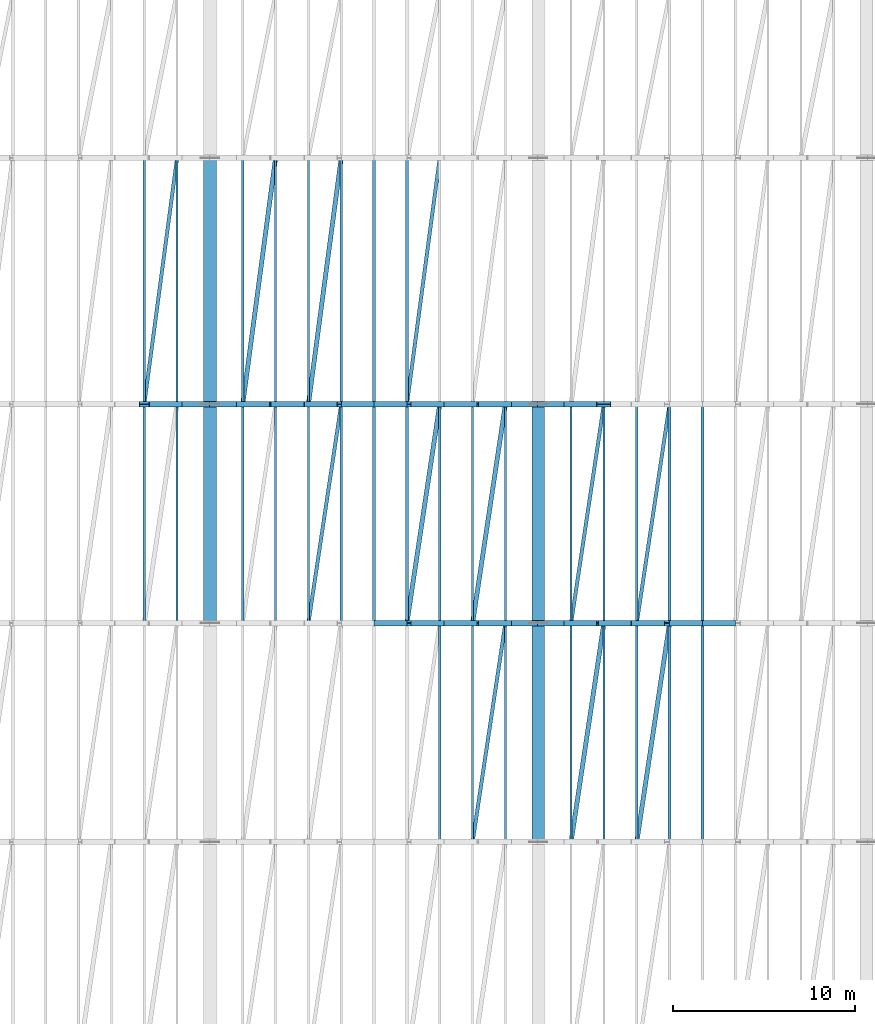
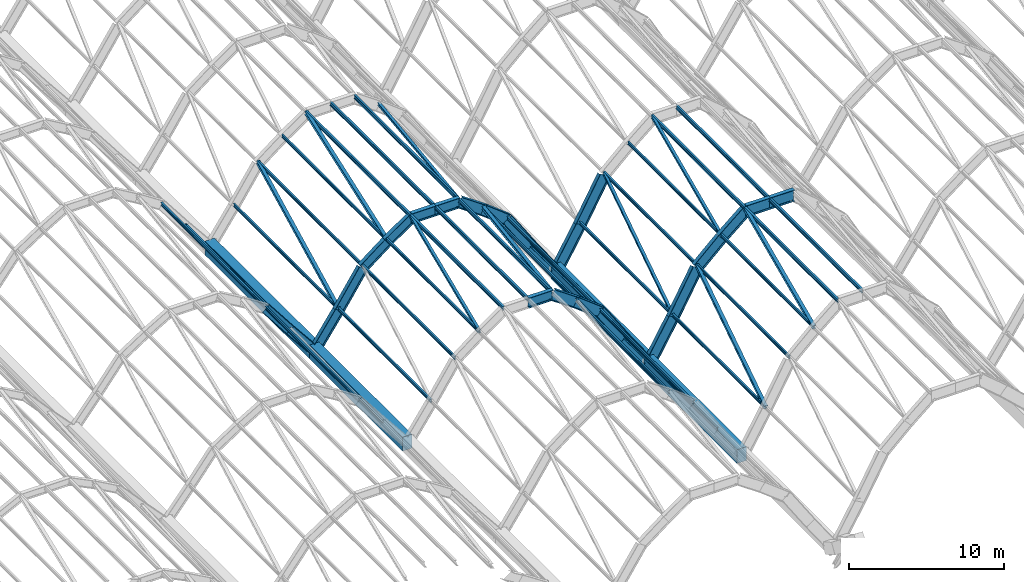
# One storey, part 11 of 86: 44 members, 29 beams.
"""IFC4 building model written with IfcOpenShell, lengths in metres."""

from ifc_helpers import new_model, si_unit, direction, frame, origin, origin_2d, place, context, subcontext, project, spatial, rectangle, i_section, extrude, material, material_profile, profile_set, type_object, element, save


model = new_model("IFC4")

# Units and contexts
model_context = context("Model", 3, precision=1e-05, world=origin(), true_north=direction((0.0, 1.0)))
body_context = subcontext(model_context, "Body", "Model", "MODEL_VIEW")
ifc_project = project(units=[si_unit("LENGTHUNIT", "METRE"), si_unit("AREAUNIT", "SQUARE_METRE"), si_unit("VOLUMEUNIT", "CUBIC_METRE"), si_unit("PLANEANGLEUNIT", "RADIAN"), si_unit("MASSUNIT", "GRAM", prefix="KILO")], contexts=[model_context])

# Site, building, storey
site_placement = place(None, origin())
site = spatial("IfcSite", under=ifc_project, at=site_placement, CompositionType="ELEMENT")
building_placement = place(site_placement, origin())
building = spatial("IfcBuilding", under=site, at=building_placement, Name="Chuanluo Vaults Station", CompositionType="ELEMENT")
storey_placement = place(building_placement, frame((0.0, 0.0, 14.39990234375)))
storey = spatial("IfcBuildingStorey", under=building, at=storey_placement, Name="L03", CompositionType="ELEMENT", Elevation=14.39990234375)

# Beams
ifc_material_1 = material(Name="Concrete C50", Category="concrete")
ifc_material_profile_1 = material_profile(ifc_material_1, rectangle(XDim=0.699951171875, YDim=1.10009765625, at=origin_2d()))
ifc_profile_set_1 = profile_set([ifc_material_profile_1], Name="Concrete C50")
beam_type_1 = type_object("IfcBeamType", Name="BM-VAL-RC", PredefinedType="USERDEFINED", material=ifc_profile_set_1)
beam_1_placement = place(storey_placement, frame((36.0, 42.0, -0.7998046875), z_axis=(0.0, 1.0, 0.0), x_axis=(-1.0, 0.0, 0.0)))
element("IfcBeam", 1, at=beam_1_placement, inside=storey, type_object=beam_type_1, Name="Vault springing valley beam X36-3", ObjectType="GIRDER", PredefinedType="USERDEFINED", context=body_context, shape_type="SweptSolid", body=[
    extrude(rectangle(XDim=0.699951171875, YDim=1.10009765625, at=origin_2d()), origin(), (0.0, 0.0, 1.0), 12.0),
])
beam_2_placement = place(storey_placement, frame((36.0, 54.0, -0.7998046875), z_axis=(0.0, 1.0, 0.0), x_axis=(-1.0, 0.0, 0.0)))
element("IfcBeam", 2, at=beam_2_placement, inside=storey, type_object=beam_type_1, Name="Vault springing valley beam X36-4", ObjectType="GIRDER", PredefinedType="USERDEFINED", context=body_context, shape_type="SweptSolid", body=[
    extrude(rectangle(XDim=0.699951171875, YDim=1.10009765625, at=origin_2d()), origin(), (0.0, 0.0, 1.0), 13.5),
])
for number, where, z_axis, x_axis, name in (
    (3, (54.0, 30.0, -0.7998046875), (0.0, 1.0, 0.0), (-1.0, 0.0, 0.0), "Vault springing valley beam X54-2"),
    (4, (54.0, 42.0, -0.7998046875), (0.0, 1.0, 0.0), (-1.0, 0.0, 0.0), "Vault springing valley beam X54-3"),
):
    element("IfcBeam", number, at=place(storey_placement, frame(where, z_axis=z_axis, x_axis=x_axis)), inside=storey, type_object=beam_type_1, Name=name, ObjectType="GIRDER", PredefinedType="USERDEFINED", context=body_context, shape_type="SweptSolid", body=[
        extrude(rectangle(XDim=0.699951171875, YDim=1.10009765625, at=origin_2d()), origin(), (0.0, 0.0, 1.0), 12.0),
    ])
ifc_material_2 = material(Name="Steel Q355C", Category="steel")
ifc_material_profile_2 = material_profile(ifc_material_2, i_section(OverallWidth=0.300048828125, OverallDepth=0.699951171875, WebThickness=0.012939453125, FlangeThickness=0.02392578125, FilletRadius=0.02392578125, at=origin_2d()))
ifc_profile_set_2 = profile_set([ifc_material_profile_2], Name="Steel Q355C")
beam_type_2 = type_object("IfcBeamType", Name="BM-VLT-700", PredefinedType="USERDEFINED", material=ifc_profile_set_2)
beam_3_placement = place(storey_placement, frame((32.39990234375, 54.0, 3.74560546875), z_axis=(0.613681275736, 0.0, -0.789553856182), x_axis=(0.0, 1.0, 0.0)))
element("IfcBeam", 5, at=beam_3_placement, inside=storey, type_object=beam_type_2, Name="Vault V2 arch rib 4 chord 9", ObjectType="GIRDER", PredefinedType="USERDEFINED", context=body_context, shape_type="SweptSolid", body=[
    extrude(i_section(OverallWidth=0.300048828125, OverallDepth=0.699951171875, WebThickness=0.012939453125, FlangeThickness=0.02392578125, FilletRadius=0.02392578125, at=origin_2d()), origin(), (0.0, 0.0, 1.0), 2.93310546875),
])
beam_4_placement = place(storey_placement, frame((34.199951171875, 54.0, 1.4296875), z_axis=(0.628190338877, 0.0, -0.778059700885), x_axis=(0.0, 1.0, 0.0)))
element("IfcBeam", 6, at=beam_4_placement, inside=storey, type_object=beam_type_2, Name="Vault V2 arch rib 4 chord 10", ObjectType="GIRDER", PredefinedType="USERDEFINED", context=body_context, shape_type="SweptSolid", body=[
    extrude(i_section(OverallWidth=0.300048828125, OverallDepth=0.699951171875, WebThickness=0.012939453125, FlangeThickness=0.02392578125, FilletRadius=0.02392578125, at=origin_2d()), origin(), (0.0, 0.0, 1.0), 2.865478515625),
])
ifc_material_3 = material(Name="Steel Q355C", Category="steel")
ifc_material_profile_3 = material_profile(ifc_material_3, i_section(OverallWidth=0.300048828125, OverallDepth=0.800048828125, WebThickness=0.013916015625, FlangeThickness=0.02587890625, FilletRadius=0.02392578125, at=origin_2d()))
ifc_profile_set_3 = profile_set([ifc_material_profile_3], Name="Steel Q355C")
beam_type_3 = type_object("IfcBeamType", Name="BM-VLT-800", PredefinedType="USERDEFINED", material=ifc_profile_set_3)
beam_5_placement = place(storey_placement, frame((45.0, 42.0, 7.130126953125), z_axis=(1.0, 0.0, 0.0), x_axis=(0.0, 1.0, 0.0)))
element("IfcBeam", 7, at=beam_5_placement, inside=storey, type_object=beam_type_3, Name="Vault V3 arch rib 3 chord 6", ObjectType="GIRDER", PredefinedType="USERDEFINED", context=body_context, shape_type="SweptSolid", body=[
    extrude(i_section(OverallWidth=0.300048828125, OverallDepth=0.800048828125, WebThickness=0.013916015625, FlangeThickness=0.02587890625, FilletRadius=0.02392578125, at=origin_2d()), origin(), (0.0, 0.0, 1.0), 1.800048828125),
])
beam_6_placement = place(storey_placement, frame((46.800048828125, 42.0, 7.130126953125), z_axis=(0.820907471123, 0.0, -0.571061226012), x_axis=(0.0, 1.0, 0.0)))
element("IfcBeam", 8, at=beam_6_placement, inside=storey, type_object=beam_type_3, Name="Vault V3 arch rib 3 chord 7", ObjectType="GIRDER", PredefinedType="USERDEFINED", context=body_context, shape_type="SweptSolid", body=[
    extrude(i_section(OverallWidth=0.300048828125, OverallDepth=0.800048828125, WebThickness=0.013916015625, FlangeThickness=0.02587890625, FilletRadius=0.02392578125, at=origin_2d()), origin(), (0.0, 0.0, 1.0), 2.19287109375),
])
beam_7_placement = place(storey_placement, frame((48.60009765625, 42.0, 5.8779296875), z_axis=(0.790274889356, 0.0, -0.612752477965), x_axis=(0.0, 1.0, 0.0)))
element("IfcBeam", 9, at=beam_7_placement, inside=storey, type_object=beam_type_3, Name="Vault V3 arch rib 3 chord 8", ObjectType="GIRDER", PredefinedType="USERDEFINED", context=body_context, shape_type="SweptSolid", body=[
    extrude(i_section(OverallWidth=0.300048828125, OverallDepth=0.800048828125, WebThickness=0.013916015625, FlangeThickness=0.02587890625, FilletRadius=0.02392578125, at=origin_2d()), origin(), (0.0, 0.0, 1.0), 2.27734375),
])
beam_8_placement = place(storey_placement, frame((50.39990234375, 42.0, 4.482421875), z_axis=(0.550471867992, 0.0, -0.834853713263), x_axis=(0.0, 1.0, 0.0)))
element("IfcBeam", 10, at=beam_8_placement, inside=storey, type_object=beam_type_3, Name="Vault V3 arch rib 3 chord 9", ObjectType="GIRDER", PredefinedType="USERDEFINED", context=body_context, shape_type="SweptSolid", body=[
    extrude(i_section(OverallWidth=0.300048828125, OverallDepth=0.800048828125, WebThickness=0.013916015625, FlangeThickness=0.02587890625, FilletRadius=0.02392578125, at=origin_2d()), origin(), (0.0, 0.0, 1.0), 3.27001953125),
])
for number, where, z_axis, x_axis, name in (
    (11, (52.199951171875, 42.0, 1.75244140625), (0.568880934439, 0.0, -0.822419894234), (0.0, 1.0, 0.0), "Vault V3 arch rib 3 chord 10"),
    (12, (36.0, 54.0, -0.849853515625), (0.568880934439, 0.0, 0.822419894234), (0.0, 1.0, 0.0), "Vault V3 arch rib 4 chord 1"),
):
    element("IfcBeam", number, at=place(storey_placement, frame(where, z_axis=z_axis, x_axis=x_axis)), inside=storey, type_object=beam_type_3, Name=name, ObjectType="GIRDER", PredefinedType="USERDEFINED", context=body_context, shape_type="SweptSolid", body=[
        extrude(i_section(OverallWidth=0.300048828125, OverallDepth=0.800048828125, WebThickness=0.013916015625, FlangeThickness=0.02587890625, FilletRadius=0.02392578125, at=origin_2d()), origin(), (0.0, 0.0, 1.0), 3.164306640625),
    ])
beam_9_placement = place(storey_placement, frame((37.800048828125, 54.0, 1.75244140625), z_axis=(0.550471867992, 0.0, 0.834853713263), x_axis=(0.0, 1.0, 0.0)))
element("IfcBeam", 13, at=beam_9_placement, inside=storey, type_object=beam_type_3, Name="Vault V3 arch rib 4 chord 2", ObjectType="GIRDER", PredefinedType="USERDEFINED", context=body_context, shape_type="SweptSolid", body=[
    extrude(i_section(OverallWidth=0.300048828125, OverallDepth=0.800048828125, WebThickness=0.013916015625, FlangeThickness=0.02587890625, FilletRadius=0.02392578125, at=origin_2d()), origin(), (0.0, 0.0, 1.0), 3.27001953125),
])
beam_10_placement = place(storey_placement, frame((39.60009765625, 54.0, 4.482421875), z_axis=(0.790274889356, 0.0, 0.612752477965), x_axis=(0.0, 1.0, 0.0)))
element("IfcBeam", 14, at=beam_10_placement, inside=storey, type_object=beam_type_3, Name="Vault V3 arch rib 4 chord 3", ObjectType="GIRDER", PredefinedType="USERDEFINED", context=body_context, shape_type="SweptSolid", body=[
    extrude(i_section(OverallWidth=0.300048828125, OverallDepth=0.800048828125, WebThickness=0.013916015625, FlangeThickness=0.02587890625, FilletRadius=0.02392578125, at=origin_2d()), origin(), (0.0, 0.0, 1.0), 2.27734375),
])
beam_11_placement = place(storey_placement, frame((41.39990234375, 54.0, 5.8779296875), z_axis=(0.820907471123, 0.0, 0.571061226012), x_axis=(0.0, 1.0, 0.0)))
element("IfcBeam", 15, at=beam_11_placement, inside=storey, type_object=beam_type_3, Name="Vault V3 arch rib 4 chord 4", ObjectType="GIRDER", PredefinedType="USERDEFINED", context=body_context, shape_type="SweptSolid", body=[
    extrude(i_section(OverallWidth=0.300048828125, OverallDepth=0.800048828125, WebThickness=0.013916015625, FlangeThickness=0.02587890625, FilletRadius=0.02392578125, at=origin_2d()), origin(), (0.0, 0.0, 1.0), 2.19287109375),
])
for number, where, z_axis, x_axis, name in (
    (16, (43.199951171875, 54.0, 7.130126953125), (1.0, 0.0, 0.0), (0.0, 1.0, 0.0), "Vault V3 arch rib 4 chord 5"),
    (17, (45.0, 54.0, 7.130126953125), (1.0, 0.0, 0.0), (0.0, 1.0, 0.0), "Vault V3 arch rib 4 chord 6"),
):
    element("IfcBeam", number, at=place(storey_placement, frame(where, z_axis=z_axis, x_axis=x_axis)), inside=storey, type_object=beam_type_3, Name=name, ObjectType="GIRDER", PredefinedType="USERDEFINED", context=body_context, shape_type="SweptSolid", body=[
        extrude(i_section(OverallWidth=0.300048828125, OverallDepth=0.800048828125, WebThickness=0.013916015625, FlangeThickness=0.02587890625, FilletRadius=0.02392578125, at=origin_2d()), origin(), (0.0, 0.0, 1.0), 1.800048828125),
    ])
beam_12_placement = place(storey_placement, frame((46.800048828125, 54.0, 7.130126953125), z_axis=(0.820907471123, 0.0, -0.571061226012), x_axis=(0.0, 1.0, 0.0)))
element("IfcBeam", 18, at=beam_12_placement, inside=storey, type_object=beam_type_3, Name="Vault V3 arch rib 4 chord 7", ObjectType="GIRDER", PredefinedType="USERDEFINED", context=body_context, shape_type="SweptSolid", body=[
    extrude(i_section(OverallWidth=0.300048828125, OverallDepth=0.800048828125, WebThickness=0.013916015625, FlangeThickness=0.02587890625, FilletRadius=0.02392578125, at=origin_2d()), origin(), (0.0, 0.0, 1.0), 2.19287109375),
])
beam_13_placement = place(storey_placement, frame((48.60009765625, 54.0, 5.8779296875), z_axis=(0.790274889356, 0.0, -0.612752477965), x_axis=(0.0, 1.0, 0.0)))
element("IfcBeam", 19, at=beam_13_placement, inside=storey, type_object=beam_type_3, Name="Vault V3 arch rib 4 chord 8", ObjectType="GIRDER", PredefinedType="USERDEFINED", context=body_context, shape_type="SweptSolid", body=[
    extrude(i_section(OverallWidth=0.300048828125, OverallDepth=0.800048828125, WebThickness=0.013916015625, FlangeThickness=0.02587890625, FilletRadius=0.02392578125, at=origin_2d()), origin(), (0.0, 0.0, 1.0), 2.27734375),
])
beam_14_placement = place(storey_placement, frame((50.39990234375, 54.0, 4.482421875), z_axis=(0.550471867992, 0.0, -0.834853713263), x_axis=(0.0, 1.0, 0.0)))
element("IfcBeam", 20, at=beam_14_placement, inside=storey, type_object=beam_type_3, Name="Vault V3 arch rib 4 chord 9", ObjectType="GIRDER", PredefinedType="USERDEFINED", context=body_context, shape_type="SweptSolid", body=[
    extrude(i_section(OverallWidth=0.300048828125, OverallDepth=0.800048828125, WebThickness=0.013916015625, FlangeThickness=0.02587890625, FilletRadius=0.02392578125, at=origin_2d()), origin(), (0.0, 0.0, 1.0), 3.27001953125),
])
beam_15_placement = place(storey_placement, frame((52.199951171875, 54.0, 1.75244140625), z_axis=(0.568880934439, 0.0, -0.822419894234), x_axis=(0.0, 1.0, 0.0)))
element("IfcBeam", 21, at=beam_15_placement, inside=storey, type_object=beam_type_3, Name="Vault V3 arch rib 4 chord 10", ObjectType="GIRDER", PredefinedType="USERDEFINED", context=body_context, shape_type="SweptSolid", body=[
    extrude(i_section(OverallWidth=0.300048828125, OverallDepth=0.800048828125, WebThickness=0.013916015625, FlangeThickness=0.02587890625, FilletRadius=0.02392578125, at=origin_2d()), origin(), (0.0, 0.0, 1.0), 3.164306640625),
])
ifc_material_4 = material(Name="Steel Q355C", Category="steel")
ifc_material_profile_4 = material_profile(ifc_material_4, i_section(OverallWidth=0.300048828125, OverallDepth=0.89990234375, WebThickness=0.01611328125, FlangeThickness=0.028076171875, FilletRadius=0.02392578125, at=origin_2d()))
ifc_profile_set_4 = profile_set([ifc_material_profile_4], Name="Steel Q355C")
beam_type_4 = type_object("IfcBeamType", Name="BM-VLT-900", PredefinedType="USERDEFINED", material=ifc_profile_set_4)
beam_16_placement = place(storey_placement, frame((54.0, 42.0, -0.89990234375), z_axis=(0.502607424266, 0.0, 0.864514763941), x_axis=(0.0, 1.0, 0.0)))
element("IfcBeam", 22, at=beam_16_placement, inside=storey, type_object=beam_type_4, Name="Vault V4 arch rib 3 chord 1", ObjectType="GIRDER", PredefinedType="USERDEFINED", context=body_context, shape_type="SweptSolid", body=[
    extrude(i_section(OverallWidth=0.300048828125, OverallDepth=0.89990234375, WebThickness=0.01611328125, FlangeThickness=0.028076171875, FilletRadius=0.02392578125, at=origin_2d()), origin(), (0.0, 0.0, 1.0), 3.58154296875),
])
beam_17_placement = place(storey_placement, frame((55.800048828125, 42.0, 2.1962890625), z_axis=(0.480856872349, 0.0, 0.876799103738), x_axis=(0.0, 1.0, 0.0)))
element("IfcBeam", 23, at=beam_17_placement, inside=storey, type_object=beam_type_4, Name="Vault V4 arch rib 3 chord 2", ObjectType="GIRDER", PredefinedType="USERDEFINED", context=body_context, shape_type="SweptSolid", body=[
    extrude(i_section(OverallWidth=0.300048828125, OverallDepth=0.89990234375, WebThickness=0.01611328125, FlangeThickness=0.028076171875, FilletRadius=0.02392578125, at=origin_2d()), origin(), (0.0, 0.0, 1.0), 3.743408203125),
])
beam_18_placement = place(storey_placement, frame((57.60009765625, 42.0, 5.478515625), z_axis=(0.730389392317, 0.0, 0.683030991676), x_axis=(0.0, 1.0, 0.0)))
element("IfcBeam", 24, at=beam_18_placement, inside=storey, type_object=beam_type_4, Name="Vault V4 arch rib 3 chord 3", ObjectType="GIRDER", PredefinedType="USERDEFINED", context=body_context, shape_type="SweptSolid", body=[
    extrude(i_section(OverallWidth=0.300048828125, OverallDepth=0.89990234375, WebThickness=0.01611328125, FlangeThickness=0.028076171875, FilletRadius=0.02392578125, at=origin_2d()), origin(), (0.0, 0.0, 1.0), 2.464111328125),
])
beam_19_placement = place(storey_placement, frame((59.39990234375, 42.0, 7.16162109375), z_axis=(0.76434097912, 0.0, 0.644812273176), x_axis=(0.0, 1.0, 0.0)))
element("IfcBeam", 25, at=beam_19_placement, inside=storey, type_object=beam_type_4, Name="Vault V4 arch rib 3 chord 4", ObjectType="GIRDER", PredefinedType="USERDEFINED", context=body_context, shape_type="SweptSolid", body=[
    extrude(i_section(OverallWidth=0.300048828125, OverallDepth=0.89990234375, WebThickness=0.01611328125, FlangeThickness=0.028076171875, FilletRadius=0.02392578125, at=origin_2d()), origin(), (0.0, 0.0, 1.0), 2.35498046875),
])
for number, where, z_axis, x_axis, name in (
    (26, (61.199951171875, 42.0, 8.68017578125), (1.0, 0.0, 0.0), (0.0, 1.0, 0.0), "Vault V4 arch rib 3 chord 5"),
    (27, (63.0, 42.0, 8.68017578125), (1.0, 0.0, 0.0), (0.0, 1.0, 0.0), "Vault V4 arch rib 3 chord 6"),
):
    element("IfcBeam", number, at=place(storey_placement, frame(where, z_axis=z_axis, x_axis=x_axis)), inside=storey, type_object=beam_type_4, Name=name, ObjectType="GIRDER", PredefinedType="USERDEFINED", context=body_context, shape_type="SweptSolid", body=[
        extrude(i_section(OverallWidth=0.300048828125, OverallDepth=0.89990234375, WebThickness=0.01611328125, FlangeThickness=0.028076171875, FilletRadius=0.02392578125, at=origin_2d()), origin(), (0.0, 0.0, 1.0), 1.800048828125),
    ])
beam_20_placement = place(storey_placement, frame((54.0, 54.0, -0.89990234375), z_axis=(0.502607424266, 0.0, 0.864514763941), x_axis=(0.0, 1.0, 0.0)))
element("IfcBeam", 28, at=beam_20_placement, inside=storey, type_object=beam_type_4, Name="Vault V4 arch rib 4 chord 1", ObjectType="GIRDER", PredefinedType="USERDEFINED", context=body_context, shape_type="SweptSolid", body=[
    extrude(i_section(OverallWidth=0.300048828125, OverallDepth=0.89990234375, WebThickness=0.01611328125, FlangeThickness=0.028076171875, FilletRadius=0.02392578125, at=origin_2d()), origin(), (0.0, 0.0, 1.0), 3.58154296875),
])
beam_21_placement = place(storey_placement, frame((55.800048828125, 54.0, 2.1962890625), z_axis=(0.480856872349, 0.0, 0.876799103738), x_axis=(0.0, 1.0, 0.0)))
element("IfcBeam", 29, at=beam_21_placement, inside=storey, type_object=beam_type_4, Name="Vault V4 arch rib 4 chord 2", ObjectType="GIRDER", PredefinedType="USERDEFINED", context=body_context, shape_type="SweptSolid", body=[
    extrude(i_section(OverallWidth=0.300048828125, OverallDepth=0.89990234375, WebThickness=0.01611328125, FlangeThickness=0.028076171875, FilletRadius=0.02392578125, at=origin_2d()), origin(), (0.0, 0.0, 1.0), 3.743408203125),
])

# Members
ifc_material_5 = material(Name="Steel Q355C", Category="steel")
ifc_material_profile_5 = material_profile(ifc_material_5, i_section(OverallWidth=0.125, OverallDepth=0.25, WebThickness=0.006103515625, FlangeThickness=0.009033203125, FilletRadius=0.011962890625, at=origin_2d()))
ifc_profile_set_5 = profile_set([ifc_material_profile_5], Name="Steel Q355C")
member_type_1 = type_object("IfcMemberType", Name="MEM-PUR-250", PredefinedType="PURLIN", material=ifc_profile_set_5)
for number, where, z_axis, x_axis, name in (
    (30, (32.39990234375, 42.0, 3.849853515625), (0.0, 1.0, 0.0), (-1.0, 0.0, 0.0), "Vault V2 purlin 3.8"),
    (31, (34.199951171875, 42.0, 1.5126953125), (0.0, 1.0, 0.0), (-1.0, 0.0, 0.0), "Vault V2 purlin 3.9"),
):
    element("IfcMember", number, at=place(storey_placement, frame(where, z_axis=z_axis, x_axis=x_axis)), inside=storey, type_object=member_type_1, Name=name, PredefinedType="PURLIN", context=body_context, shape_type="SweptSolid", body=[
        extrude(i_section(OverallWidth=0.125, OverallDepth=0.25, WebThickness=0.006103515625, FlangeThickness=0.009033203125, FilletRadius=0.011962890625, at=origin_2d()), origin(), (0.0, 0.0, 1.0), 12.0),
    ])
for number, where, z_axis, x_axis, name in (
    (32, (32.39990234375, 54.0, 3.849853515625), (0.0, 1.0, 0.0), (-1.0, 0.0, 0.0), "Vault V2 purlin 4.8"),
    (33, (34.199951171875, 54.0, 1.5126953125), (0.0, 1.0, 0.0), (-1.0, 0.0, 0.0), "Vault V2 purlin 4.9"),
):
    element("IfcMember", number, at=place(storey_placement, frame(where, z_axis=z_axis, x_axis=x_axis)), inside=storey, type_object=member_type_1, Name=name, PredefinedType="PURLIN", context=body_context, shape_type="SweptSolid", body=[
        extrude(i_section(OverallWidth=0.125, OverallDepth=0.25, WebThickness=0.006103515625, FlangeThickness=0.009033203125, FilletRadius=0.011962890625, at=origin_2d()), origin(), (0.0, 0.0, 1.0), 13.5),
    ])
for number, where, z_axis, x_axis, name in (
    (34, (48.60009765625, 30.0, 6.062744140625), (0.0, 1.0, 0.0), (-1.0, 0.0, 0.0), "Vault V3 purlin 2.7"),
    (35, (50.39990234375, 30.0, 4.619384765625), (0.0, 1.0, 0.0), (-1.0, 0.0, 0.0), "Vault V3 purlin 2.8"),
    (36, (52.199951171875, 30.0, 1.86962890625), (0.0, 1.0, 0.0), (-1.0, 0.0, 0.0), "Vault V3 purlin 2.9"),
    (37, (37.800048828125, 42.0, 1.86962890625), (0.0, 1.0, 0.0), (-1.0, 0.0, 0.0), "Vault V3 purlin 3.1"),
    (38, (39.60009765625, 42.0, 4.619384765625), (0.0, 1.0, 0.0), (-1.0, 0.0, 0.0), "Vault V3 purlin 3.2"),
    (39, (41.39990234375, 42.0, 6.062744140625), (0.0, 1.0, 0.0), (-1.0, 0.0, 0.0), "Vault V3 purlin 3.3"),
    (40, (48.60009765625, 42.0, 6.062744140625), (0.0, 1.0, 0.0), (-1.0, 0.0, 0.0), "Vault V3 purlin 3.7"),
    (41, (50.39990234375, 42.0, 4.619384765625), (0.0, 1.0, 0.0), (-1.0, 0.0, 0.0), "Vault V3 purlin 3.8"),
    (42, (52.199951171875, 42.0, 1.86962890625), (0.0, 1.0, 0.0), (-1.0, 0.0, 0.0), "Vault V3 purlin 3.9"),
):
    element("IfcMember", number, at=place(storey_placement, frame(where, z_axis=z_axis, x_axis=x_axis)), inside=storey, type_object=member_type_1, Name=name, PredefinedType="PURLIN", context=body_context, shape_type="SweptSolid", body=[
        extrude(i_section(OverallWidth=0.125, OverallDepth=0.25, WebThickness=0.006103515625, FlangeThickness=0.009033203125, FilletRadius=0.011962890625, at=origin_2d()), origin(), (0.0, 0.0, 1.0), 12.0),
    ])
for number, where, z_axis, x_axis, name in (
    (43, (37.800048828125, 54.0, 1.86962890625), (0.0, 1.0, 0.0), (-1.0, 0.0, 0.0), "Vault V3 purlin 4.1"),
    (44, (39.60009765625, 54.0, 4.619384765625), (0.0, 1.0, 0.0), (-1.0, 0.0, 0.0), "Vault V3 purlin 4.2"),
    (45, (41.39990234375, 54.0, 6.062744140625), (0.0, 1.0, 0.0), (-1.0, 0.0, 0.0), "Vault V3 purlin 4.3"),
):
    element("IfcMember", number, at=place(storey_placement, frame(where, z_axis=z_axis, x_axis=x_axis)), inside=storey, type_object=member_type_1, Name=name, PredefinedType="PURLIN", context=body_context, shape_type="SweptSolid", body=[
        extrude(i_section(OverallWidth=0.125, OverallDepth=0.25, WebThickness=0.006103515625, FlangeThickness=0.009033203125, FilletRadius=0.011962890625, at=origin_2d()), origin(), (0.0, 0.0, 1.0), 13.5),
    ])
for number, where, z_axis, x_axis, name in (
    (46, (55.800048828125, 30.0, 2.3427734375), (0.0, 1.0, 0.0), (-1.0, 0.0, 0.0), "Vault V4 purlin 2.1"),
    (47, (57.60009765625, 30.0, 5.642578125), (0.0, 1.0, 0.0), (-1.0, 0.0, 0.0), "Vault V4 purlin 2.2"),
    (48, (59.39990234375, 30.0, 7.38720703125), (0.0, 1.0, 0.0), (-1.0, 0.0, 0.0), "Vault V4 purlin 2.3"),
    (49, (55.800048828125, 42.0, 2.3427734375), (0.0, 1.0, 0.0), (-1.0, 0.0, 0.0), "Vault V4 purlin 3.1"),
    (50, (57.60009765625, 42.0, 5.642578125), (0.0, 1.0, 0.0), (-1.0, 0.0, 0.0), "Vault V4 purlin 3.2"),
    (51, (59.39990234375, 42.0, 7.38720703125), (0.0, 1.0, 0.0), (-1.0, 0.0, 0.0), "Vault V4 purlin 3.3"),
):
    element("IfcMember", number, at=place(storey_placement, frame(where, z_axis=z_axis, x_axis=x_axis)), inside=storey, type_object=member_type_1, Name=name, PredefinedType="PURLIN", context=body_context, shape_type="SweptSolid", body=[
        extrude(i_section(OverallWidth=0.125, OverallDepth=0.25, WebThickness=0.006103515625, FlangeThickness=0.009033203125, FilletRadius=0.011962890625, at=origin_2d()), origin(), (0.0, 0.0, 1.0), 12.0),
    ])
ifc_material_6 = material(Name="Steel Q355C", Category="steel")
ifc_material_profile_6 = material_profile(ifc_material_6, i_section(OverallWidth=0.14990234375, OverallDepth=0.300048828125, WebThickness=0.006591796875, FlangeThickness=0.009033203125, FilletRadius=0.012939453125, at=origin_2d()))
ifc_profile_set_6 = profile_set([ifc_material_profile_6], Name="Steel Q355C")
member_type_2 = type_object("IfcMemberType", Name="MEM-PUR-300", PredefinedType="PURLIN", material=ifc_profile_set_6)
for number, where, z_axis, x_axis, name in (
    (52, (43.199951171875, 42.0, 7.264404296875), (0.0, 1.0, 0.0), (-1.0, 0.0, 0.0), "Vault V3 purlin 3.4"),
    (53, (45.0, 42.0, 7.3720703125), (0.0, 1.0, 0.0), (-1.0, 0.0, 0.0), "Vault V3 purlin 3.5"),
    (54, (46.800048828125, 42.0, 7.264404296875), (0.0, 1.0, 0.0), (-1.0, 0.0, 0.0), "Vault V3 purlin 3.6"),
):
    element("IfcMember", number, at=place(storey_placement, frame(where, z_axis=z_axis, x_axis=x_axis)), inside=storey, type_object=member_type_2, Name=name, PredefinedType="PURLIN", context=body_context, shape_type="SweptSolid", body=[
        extrude(i_section(OverallWidth=0.14990234375, OverallDepth=0.300048828125, WebThickness=0.006591796875, FlangeThickness=0.009033203125, FilletRadius=0.012939453125, at=origin_2d()), origin(), (0.0, 0.0, 1.0), 12.0),
    ])
for number, where, z_axis, x_axis, name in (
    (55, (43.199951171875, 54.0, 7.264404296875), (0.0, 1.0, 0.0), (-1.0, 0.0, 0.0), "Vault V3 purlin 4.4"),
    (56, (45.0, 54.0, 7.3720703125), (0.0, 1.0, 0.0), (-1.0, 0.0, 0.0), "Vault V3 purlin 4.5"),
    (57, (46.800048828125, 54.0, 7.264404296875), (0.0, 1.0, 0.0), (-1.0, 0.0, 0.0), "Vault V3 purlin 4.6"),
):
    element("IfcMember", number, at=place(storey_placement, frame(where, z_axis=z_axis, x_axis=x_axis)), inside=storey, type_object=member_type_2, Name=name, PredefinedType="PURLIN", context=body_context, shape_type="SweptSolid", body=[
        extrude(i_section(OverallWidth=0.14990234375, OverallDepth=0.300048828125, WebThickness=0.006591796875, FlangeThickness=0.009033203125, FilletRadius=0.012939453125, at=origin_2d()), origin(), (0.0, 0.0, 1.0), 13.5),
    ])
for number, where, z_axis, x_axis, name in (
    (58, (61.199951171875, 30.0, 8.834228515625), (0.0, 1.0, 0.0), (-1.0, 0.0, 0.0), "Vault V4 purlin 2.4"),
    (59, (63.0, 30.0, 8.97216796875), (0.0, 1.0, 0.0), (-1.0, 0.0, 0.0), "Vault V4 purlin 2.5"),
    (60, (61.199951171875, 42.0, 8.834228515625), (0.0, 1.0, 0.0), (-1.0, 0.0, 0.0), "Vault V4 purlin 3.4"),
    (61, (63.0, 42.0, 8.97216796875), (0.0, 1.0, 0.0), (-1.0, 0.0, 0.0), "Vault V4 purlin 3.5"),
):
    element("IfcMember", number, at=place(storey_placement, frame(where, z_axis=z_axis, x_axis=x_axis)), inside=storey, type_object=member_type_2, Name=name, PredefinedType="PURLIN", context=body_context, shape_type="SweptSolid", body=[
        extrude(i_section(OverallWidth=0.14990234375, OverallDepth=0.300048828125, WebThickness=0.006591796875, FlangeThickness=0.009033203125, FilletRadius=0.012939453125, at=origin_2d()), origin(), (0.0, 0.0, 1.0), 12.0),
    ])
ifc_material_7 = material(Name="Steel Q355C", Category="steel")
ifc_material_profile_7 = material_profile(ifc_material_7, i_section(OverallWidth=0.199951171875, OverallDepth=0.199951171875, WebThickness=0.008056640625, FlangeThickness=0.011962890625, FilletRadius=0.012939453125, at=origin_2d()))
ifc_profile_set_7 = profile_set([ifc_material_profile_7], Name="Steel Q355C")
member_type_3 = type_object("IfcMemberType", Name="MEM-VBR-200", PredefinedType="BRACE", material=ifc_profile_set_7)
member_1_placement = place(storey_placement, frame((32.39990234375, 54.0, 3.849853515625), z_axis=(0.130263166055, 0.976947244025, -0.169131871511), x_axis=(-0.991227431004, 0.132167242636, 0.0)))
element("IfcMember", 62, at=member_1_placement, inside=storey, type_object=member_type_3, Name="Vault V2 space-frame diagonal 4.8", PredefinedType="BRACE", context=body_context, shape_type="SweptSolid", body=[
    extrude(i_section(OverallWidth=0.199951171875, OverallDepth=0.199951171875, WebThickness=0.008056640625, FlangeThickness=0.011962890625, FilletRadius=0.012939453125, at=origin_2d()), origin(), (0.0, 0.0, 1.0), 13.818603515625),
])
member_2_placement = place(storey_placement, frame((50.39990234375, 30.0, 4.619384765625), z_axis=(0.144676148211, 0.964481491504, -0.221007386043), x_axis=(-0.988935762544, 0.148344388372, 0.0)))
element("IfcMember", 63, at=member_2_placement, inside=storey, type_object=member_type_3, Name="Vault V3 space-frame diagonal 2.8", PredefinedType="BRACE", context=body_context, shape_type="SweptSolid", body=[
    extrude(i_section(OverallWidth=0.199951171875, OverallDepth=0.199951171875, WebThickness=0.008056640625, FlangeThickness=0.011962890625, FilletRadius=0.012939453125, at=origin_2d()), origin(), (0.0, 0.0, 1.0), 12.44189453125),
])
member_3_placement = place(storey_placement, frame((41.39990234375, 42.0, 6.062744140625), z_axis=(0.147622287214, 0.984121885415, 0.098548338216), x_axis=(-0.988935762544, 0.148344388372, 0.0)))
element("IfcMember", 64, at=member_3_placement, inside=storey, type_object=member_type_3, Name="Vault V3 space-frame diagonal 3.3", PredefinedType="BRACE", context=body_context, shape_type="SweptSolid", body=[
    extrude(i_section(OverallWidth=0.199951171875, OverallDepth=0.199951171875, WebThickness=0.008056640625, FlangeThickness=0.011962890625, FilletRadius=0.012939453125, at=origin_2d()), origin(), (0.0, 0.0, 1.0), 12.193603515625),
])
member_4_placement = place(storey_placement, frame((46.800048828125, 54.0, 7.264404296875), z_axis=(0.131655785074, 0.987391603341, -0.087889566545), x_axis=(-0.991227431004, 0.132167242636, 0.0)))
element("IfcMember", 65, at=member_4_placement, inside=storey, type_object=member_type_3, Name="Vault V3 space-frame diagonal 4.6", PredefinedType="BRACE", context=body_context, shape_type="SweptSolid", body=[
    extrude(i_section(OverallWidth=0.199951171875, OverallDepth=0.199951171875, WebThickness=0.008056640625, FlangeThickness=0.011962890625, FilletRadius=0.012939453125, at=origin_2d()), origin(), (0.0, 0.0, 1.0), 13.67236328125),
])
member_5_placement = place(storey_placement, frame((55.800048828125, 42.0, 2.3427734375), z_axis=(0.143145822797, 0.95427959882, 0.262411357781), x_axis=(-0.988935762544, 0.148344388372, 0.0)))
element("IfcMember", 66, at=member_5_placement, inside=storey, type_object=member_type_3, Name="Vault V4 space-frame diagonal 3.1", PredefinedType="BRACE", context=body_context, shape_type="SweptSolid", body=[
    extrude(i_section(OverallWidth=0.199951171875, OverallDepth=0.199951171875, WebThickness=0.008056640625, FlangeThickness=0.011962890625, FilletRadius=0.012939453125, at=origin_2d()), origin(), (0.0, 0.0, 1.0), 12.574951171875),
])
member_6_placement = place(storey_placement, frame((59.39990234375, 42.0, 7.38720703125), z_axis=(0.147300719642, 0.981978159751, 0.118411957862), x_axis=(-0.988935762544, 0.148344388372, 0.0)))
element("IfcMember", 67, at=member_6_placement, inside=storey, type_object=member_type_3, Name="Vault V4 space-frame diagonal 3.3", PredefinedType="BRACE", context=body_context, shape_type="SweptSolid", body=[
    extrude(i_section(OverallWidth=0.199951171875, OverallDepth=0.199951171875, WebThickness=0.008056640625, FlangeThickness=0.011962890625, FilletRadius=0.012939453125, at=origin_2d()), origin(), (0.0, 0.0, 1.0), 12.22021484375),
])
ifc_material_8 = material(Name="Steel Q355C", Category="steel")
ifc_material_profile_8 = material_profile(ifc_material_8, i_section(OverallWidth=0.25, OverallDepth=0.25, WebThickness=0.009033203125, FlangeThickness=0.013916015625, FilletRadius=0.01611328125, at=origin_2d()))
ifc_profile_set_8 = profile_set([ifc_material_profile_8], Name="Steel Q355C")
member_type_4 = type_object("IfcMemberType", Name="MEM-VBR-250", PredefinedType="BRACE", material=ifc_profile_set_8)
member_7_placement = place(storey_placement, frame((46.800048828125, 42.0, 7.264404296875), z_axis=(0.147622287214, 0.984121885415, -0.098548338216), x_axis=(-0.988935762544, 0.148344388372, 0.0)))
element("IfcMember", 68, at=member_7_placement, inside=storey, type_object=member_type_4, Name="Vault V3 space-frame diagonal 3.6", PredefinedType="BRACE", context=body_context, shape_type="SweptSolid", body=[
    extrude(i_section(OverallWidth=0.25, OverallDepth=0.25, WebThickness=0.009033203125, FlangeThickness=0.013916015625, FilletRadius=0.01611328125, at=origin_2d()), origin(), (0.0, 0.0, 1.0), 12.193603515625),
])
member_8_placement = place(storey_placement, frame((50.39990234375, 42.0, 4.619384765625), z_axis=(0.144676148211, 0.964481491504, -0.221007386043), x_axis=(-0.988935762544, 0.148344388372, 0.0)))
element("IfcMember", 69, at=member_8_placement, inside=storey, type_object=member_type_4, Name="Vault V3 space-frame diagonal 3.8", PredefinedType="BRACE", context=body_context, shape_type="SweptSolid", body=[
    extrude(i_section(OverallWidth=0.25, OverallDepth=0.25, WebThickness=0.009033203125, FlangeThickness=0.013916015625, FilletRadius=0.01611328125, at=origin_2d()), origin(), (0.0, 0.0, 1.0), 12.44189453125),
])
member_9_placement = place(storey_placement, frame((37.800048828125, 54.0, 1.86962890625), z_axis=(0.129553122095, 0.971622058778, 0.197905440683), x_axis=(-0.991227431004, 0.132167242636, 0.0)))
element("IfcMember", 70, at=member_9_placement, inside=storey, type_object=member_type_4, Name="Vault V3 space-frame diagonal 4.1", PredefinedType="BRACE", context=body_context, shape_type="SweptSolid", body=[
    extrude(i_section(OverallWidth=0.25, OverallDepth=0.25, WebThickness=0.009033203125, FlangeThickness=0.013916015625, FilletRadius=0.01611328125, at=origin_2d()), origin(), (0.0, 0.0, 1.0), 13.894287109375),
])
member_10_placement = place(storey_placement, frame((41.39990234375, 54.0, 6.062744140625), z_axis=(0.131655785074, 0.987391603341, 0.087889566545), x_axis=(-0.991227431004, 0.132167242636, 0.0)))
element("IfcMember", 71, at=member_10_placement, inside=storey, type_object=member_type_4, Name="Vault V3 space-frame diagonal 4.3", PredefinedType="BRACE", context=body_context, shape_type="SweptSolid", body=[
    extrude(i_section(OverallWidth=0.25, OverallDepth=0.25, WebThickness=0.009033203125, FlangeThickness=0.013916015625, FilletRadius=0.01611328125, at=origin_2d()), origin(), (0.0, 0.0, 1.0), 13.67236328125),
])
member_11_placement = place(storey_placement, frame((55.800048828125, 30.0, 2.3427734375), z_axis=(0.143145822797, 0.95427959882, 0.262411357781), x_axis=(-0.988935762544, 0.148344388372, 0.0)))
element("IfcMember", 72, at=member_11_placement, inside=storey, type_object=member_type_4, Name="Vault V4 space-frame diagonal 2.1", PredefinedType="BRACE", context=body_context, shape_type="SweptSolid", body=[
    extrude(i_section(OverallWidth=0.25, OverallDepth=0.25, WebThickness=0.009033203125, FlangeThickness=0.013916015625, FilletRadius=0.01611328125, at=origin_2d()), origin(), (0.0, 0.0, 1.0), 12.574951171875),
])
member_12_placement = place(storey_placement, frame((59.39990234375, 30.0, 7.38720703125), z_axis=(0.147300719642, 0.981978159751, 0.118411957862), x_axis=(-0.988935762544, 0.148344388372, 0.0)))
element("IfcMember", 73, at=member_12_placement, inside=storey, type_object=member_type_4, Name="Vault V4 space-frame diagonal 2.3", PredefinedType="BRACE", context=body_context, shape_type="SweptSolid", body=[
    extrude(i_section(OverallWidth=0.25, OverallDepth=0.25, WebThickness=0.009033203125, FlangeThickness=0.013916015625, FilletRadius=0.01611328125, at=origin_2d()), origin(), (0.0, 0.0, 1.0), 12.22021484375),
])

save(model, "model.ifc")
